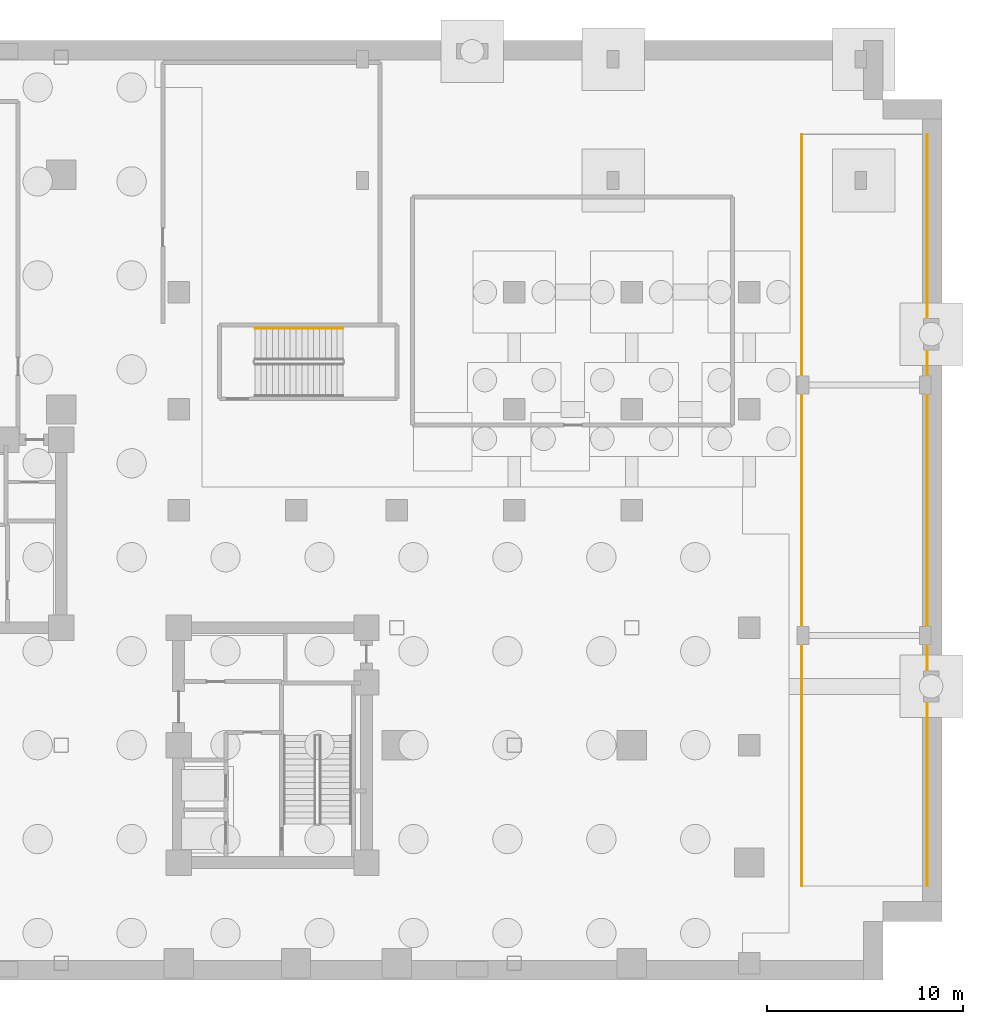
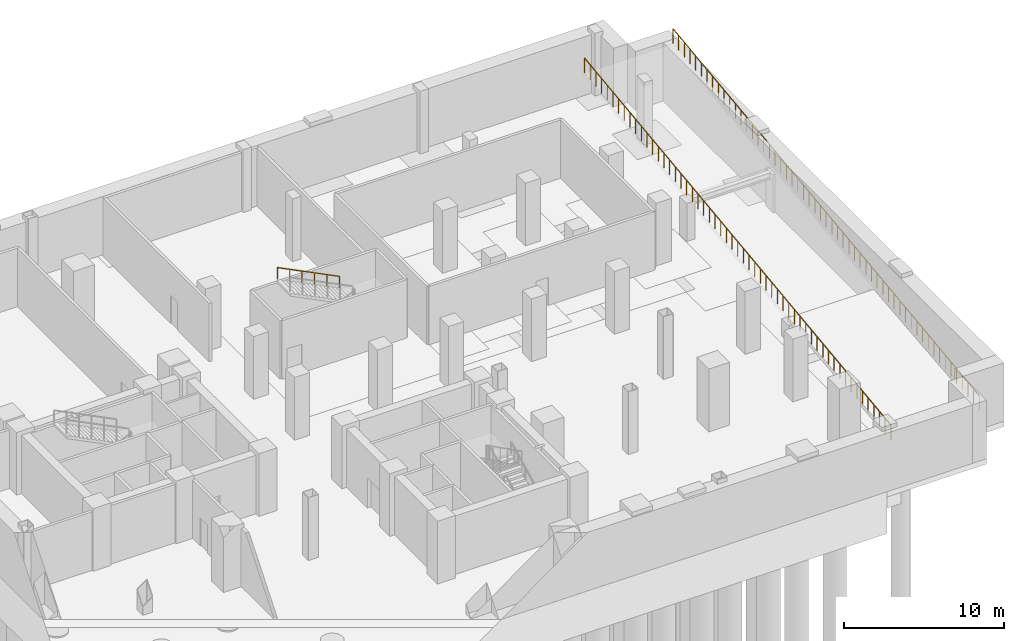
# One storey, part 6 of 7: 3 railings.
"""IFC4 building model written with IfcOpenShell, lengths in metres."""

import ifcopenshell
import ifcopenshell.guid

model = None  # the IFC model being written
_history = None  # IfcOwnerHistory: only IFC2X3 demands one
_inside = {}  # id of a spatial element -> (the spatial element, [elements in it])
_under = {}  # id of a project, library or spatial element -> (it, [spatial elements below it])
_declared = {}  # id of a project -> (the project, [libraries it declares])
_typed = {}  # id of a type object -> (the type object, [elements of that type])
_made_of = {}  # id of a material, layer set ... -> (it, [elements and type objects made of it])


def new_model(schema):
    """Start an empty IFC model of exactly this schema.

    Asked for "IFC4X3", IfcOpenShell would pick the latest addendum, in which some entities
    have other attributes; the version numbers below select the first issue.
    IFC2X3 requires an IfcOwnerHistory on every rooted entity: one is made here for all.
    """
    global model, _history
    if schema == "IFC4X3":
        model = ifcopenshell.file(schema_version=(4, 3, 0, 0))
    else:
        model = ifcopenshell.file(schema=schema)
    _inside.clear()
    _under.clear()
    _declared.clear()
    _typed.clear()
    _made_of.clear()
    _history = None
    if model.schema == "IFC2X3":
        org = make("IfcOrganization", Name="unknown")
        user = make(
            "IfcPersonAndOrganization",
            ThePerson=make("IfcPerson", FamilyName="unknown"),
            TheOrganization=org,
        )
        app = make(
            "IfcApplication",
            ApplicationDeveloper=org,
            Version="unknown",
            ApplicationFullName="unknown",
            ApplicationIdentifier="unknown",
        )
        _history = make(
            "IfcOwnerHistory",
            OwningUser=user,
            OwningApplication=app,
            ChangeAction="ADDED",
            CreationDate=0,
        )
    return model


def make(cls, **values):
    """One entity of the class cls with the attributes given. An attribute that is None is left unset."""
    return model.create_entity(
        cls, **{name: value for name, value in values.items() if value is not None}
    )


def rooted(cls, **values):
    """An entity with a GlobalId (a new one), such as an element, a storey or a relation."""
    return make(cls, GlobalId=ifcopenshell.guid.new(), OwnerHistory=_history, **values)


def si_unit(unit_type, name, prefix=None):
    """IfcSIUnit, for example si_unit("LENGTHUNIT", "METRE", prefix="MILLI")."""
    return make("IfcSIUnit", UnitType=unit_type, Prefix=prefix, Name=name)


def assignment(units):
    """IfcUnitAssignment: the units of a project."""
    return None if units is None else make("IfcUnitAssignment", Units=units)


def point(xyz):
    """IfcCartesianPoint."""
    return None if xyz is None else make("IfcCartesianPoint", Coordinates=xyz)


def direction(xyz):
    """IfcDirection."""
    return None if xyz is None else make("IfcDirection", DirectionRatios=xyz)


def frame(location, z_axis=None, x_axis=None):
    """IfcAxis2Placement3D, a coordinate frame: its origin and axes. An axis left out is left unset."""
    return make(
        "IfcAxis2Placement3D",
        Location=point(location),
        Axis=direction(z_axis),
        RefDirection=direction(x_axis),
    )


def frame_2d(location, x_axis=None):
    """IfcAxis2Placement2D, a coordinate frame in the plane: its origin and x axis."""
    return make(
        "IfcAxis2Placement2D", Location=point(location), RefDirection=direction(x_axis)
    )


def origin():
    """The frame at (0, 0, 0) with its axes left unset."""
    return frame((0.0, 0.0, 0.0))


def origin_2d():
    """The frame at (0, 0) in the plane with its x axis left unset."""
    return frame_2d((0.0, 0.0))


def place(relative_to, where):
    """IfcLocalPlacement: puts the frame where relative to a parent placement (None: the world)."""
    return make(
        "IfcLocalPlacement", PlacementRelTo=relative_to, RelativePlacement=where
    )


def context(
    kind, dimensions, precision=None, world=None, true_north=None, identifier=None
):
    """IfcGeometricRepresentationContext, for example the 3D "Model" context."""
    return make(
        "IfcGeometricRepresentationContext",
        ContextIdentifier=identifier,
        ContextType=kind,
        CoordinateSpaceDimension=dimensions,
        Precision=precision,
        WorldCoordinateSystem=world,
        TrueNorth=true_north,
    )


def subcontext(parent, identifier, kind, view, scale=None):
    """IfcGeometricRepresentationSubContext, for example "Body" below "Model"."""
    return make(
        "IfcGeometricRepresentationSubContext",
        ContextIdentifier=identifier,
        ContextType=kind,
        ParentContext=parent,
        TargetScale=scale,
        TargetView=view,
    )


def project(units=None, contexts=None):
    """IfcProject with its units and contexts."""
    return rooted(
        "IfcProject",
        Name="project",
        RepresentationContexts=contexts,
        UnitsInContext=assignment(units),
    )


def spatial(cls, under=None, at=None, **own):
    """A site, building, storey or space (cls), placed at a placement, below another one or the project."""
    s = rooted(cls, ObjectPlacement=at, **own)
    if under is not None:
        _under.setdefault(under.id(), (under, []))[1].append(s)
    return s


def profile(cls, at=None, kind="AREA", **sizes):
    """A parametric profile (cls). Its sizes go by their IFC names, for example OverallWidth=200.0."""
    return make(cls, ProfileType=kind, Position=at, **sizes)


def rectangle(**sizes):
    """IfcRectangleProfileDef."""
    return profile("IfcRectangleProfileDef", **sizes)


def extrude(swept, where, along, depth):
    """IfcExtrudedAreaSolid: the profile swept, set in the frame where, extruded along a direction by depth."""
    return make(
        "IfcExtrudedAreaSolid",
        SweptArea=swept,
        Position=where,
        ExtrudedDirection=direction(along),
        Depth=depth,
    )


def shape(context_of_items, identifier, shape_type, items):
    """IfcShapeRepresentation: the items that make up one representation, for example the "Body"."""
    return make(
        "IfcShapeRepresentation",
        ContextOfItems=context_of_items,
        RepresentationIdentifier=identifier,
        RepresentationType=shape_type,
        Items=items,
    )


def material(Name=None, Category=None):
    """IfcMaterial."""
    return make("IfcMaterial", Name=Name, Category=Category)


def made_of(thing, what):
    """Note that an element or type object is made of a material, layer set ...; save() writes the relation."""
    if what is not None:
        _made_of.setdefault(what.id(), (what, []))[1].append(thing)
    return thing


def type_object(cls, material=None, **own):
    """A type object (cls), such as IfcWallType, which elements share."""
    return made_of(rooted(cls, **own), material)


def element(
    cls,
    number,
    at=None,
    inside=None,
    cuts=None,
    type_object=None,
    material=None,
    context=None,
    identifier="Body",
    shape_type=None,
    held_by="IfcProductDefinitionShape",
    body=None,
    shapes=None,
    **own,
):
    """One element of the class cls, such as IfcWall. Its Tag is "e" and its number.

    at: its placement. inside: the storey or other place that contains it. cuts: it is an
    opening in that element (IfcRelVoidsElement). A single representation is given by context,
    identifier, shape_type and body (its items); several are given by shapes. held_by: the class
    of the entity that holds the representations. save() writes the other relations.
    """
    e = rooted(cls, Tag="e%d" % number, ObjectPlacement=at, **own)
    if body is not None:
        shapes = [shape(context, identifier, shape_type, body)]
    if shapes is not None:
        e.Representation = make(held_by, Representations=shapes)
    if inside is not None:
        _inside.setdefault(inside.id(), (inside, []))[1].append(e)
    if cuts is not None:
        rooted(
            "IfcRelVoidsElement", RelatingBuildingElement=cuts, RelatedOpeningElement=e
        )
    if type_object is not None:
        _typed.setdefault(type_object.id(), (type_object, []))[1].append(e)
    return made_of(e, material)


def aggregate(whole, parts):
    """IfcRelAggregates: a whole, such as a stair, and the parts it consists of."""
    return rooted("IfcRelAggregates", RelatingObject=whole, RelatedObjects=parts)


def save(model, path):
    """Write the relations noted so far, then the file.

    IfcRelAggregates (storeys below a building ...), IfcRelContainedInSpatialStructure (elements
    in a storey), IfcRelDefinesByType, IfcRelAssociatesMaterial and IfcRelDeclares: one each for
    every whole, place, type object, material and project.
    """
    for whole, parts in _under.values():
        aggregate(whole, parts)
    for where, things in _inside.values():
        rooted(
            "IfcRelContainedInSpatialStructure",
            RelatedElements=things,
            RelatingStructure=where,
        )
    for kind, things in _typed.values():
        rooted("IfcRelDefinesByType", RelatedObjects=things, RelatingType=kind)
    for what, things in _made_of.values():
        rooted("IfcRelAssociatesMaterial", RelatedObjects=things, RelatingMaterial=what)
    for by, libraries in _declared.values():
        rooted("IfcRelDeclares", RelatingContext=by, RelatedDefinitions=libraries)
    model.write(path)


model = new_model("IFC4")

# Units and contexts
model_context = context("Model", 3, precision=1e-05, world=origin(), true_north=direction((0.0, 1.0)))
body_context = subcontext(model_context, "Body", "Model", "MODEL_VIEW")
ifc_project = project(units=[si_unit("LENGTHUNIT", "METRE"), si_unit("AREAUNIT", "SQUARE_METRE"), si_unit("VOLUMEUNIT", "CUBIC_METRE"), si_unit("PLANEANGLEUNIT", "RADIAN"), si_unit("MASSUNIT", "GRAM", prefix="KILO"), si_unit("THERMODYNAMICTEMPERATUREUNIT", "KELVIN"), si_unit("POWERUNIT", "WATT")], contexts=[model_context])

# Site, building, storey
site_placement = place(None, origin())
site = spatial("IfcSite", under=ifc_project, at=site_placement, CompositionType="ELEMENT")
building_placement = place(site_placement, origin())
building = spatial("IfcBuilding", under=site, at=building_placement, Name="Svarakhadi Broadcast Tower", CompositionType="ELEMENT")
storey_placement = place(building_placement, frame((0.0, 0.0, -9.60009765625)))
storey = spatial("IfcBuildingStorey", under=building, at=storey_placement, Name="B02", CompositionType="ELEMENT", Elevation=-9.60009765625)

# Railings
ifc_material = material(Name="Anodised Bronze Aluminium AA 6063-T6", Category="aluminium")
railing_type_1 = type_object("IfcRailingType", Name="Guard_Void_GR04", PredefinedType="GUARDRAIL", material=ifc_material)
railing_1_placement = place(storey_placement, frame((55.85009765625, 4.800048828125, 0.0)))
element("IfcRailing", 1, at=railing_1_placement, inside=storey, type_object=railing_type_1, Name="B02 Vehicle Ramp Sloped Side Guard W GR-04", PredefinedType="GUARDRAIL", context=body_context, shape_type="SweptSolid", body=[
    extrude(rectangle(XDim=0.048095703125, YDim=0.048095703125, at=origin_2d()), frame((0.0, 0.0, 1.1259765625), z_axis=(0.0, 0.992277003176, 0.124041722688), x_axis=(-1.0, 0.0, 0.0)), (0.0, 0.0, 1.0), 12.899658203125),
    extrude(rectangle(XDim=0.048095703125, YDim=0.048095703125, at=origin_2d()), frame((0.0, 12.800048828125, 2.72607421875), z_axis=(0.0, 0.992276711964, 0.124044052228), x_axis=(-1.0, 0.0, 0.0)), (0.0, 0.0, 1.0), 12.8994140625),
    extrude(rectangle(XDim=0.048095703125, YDim=0.048095703125, at=origin_2d()), frame((0.0, 25.599853515625, 4.326171875), z_axis=(0.0, 0.992279332503, 0.124023087717), x_axis=(-1.0, 0.0, 0.0)), (0.0, 0.0, 1.0), 12.899658203125),
    extrude(rectangle(XDim=0.0419921875, YDim=0.0419921875, at=origin_2d()), origin(), (0.0, 0.0, 1.0), 1.101806640625),
    extrude(rectangle(XDim=0.0419921875, YDim=0.0419921875, at=origin_2d()), frame((0.0, 0.711181640625, 0.0888671875)), (0.0, 0.0, 1.0), 1.101806640625),
    extrude(rectangle(XDim=0.0419921875, YDim=0.0419921875, at=origin_2d()), frame((0.0, 1.422119140625, 0.177734375)), (0.0, 0.0, 1.0), 1.101806640625),
    extrude(rectangle(XDim=0.0419921875, YDim=0.0419921875, at=origin_2d()), frame((0.0, 2.13330078125, 0.2666015625)), (0.0, 0.0, 1.0), 1.101806640625),
    extrude(rectangle(XDim=0.0419921875, YDim=0.0419921875, at=origin_2d()), frame((0.0, 2.844482421875, 0.35546875)), (0.0, 0.0, 1.0), 1.101806640625),
    extrude(rectangle(XDim=0.0419921875, YDim=0.0419921875, at=origin_2d()), frame((0.0, 3.5556640625, 0.444580078125)), (0.0, 0.0, 1.0), 1.101806640625),
    extrude(rectangle(XDim=0.0419921875, YDim=0.0419921875, at=origin_2d()), frame((0.0, 4.2666015625, 0.533447265625)), (0.0, 0.0, 1.0), 1.101806640625),
    extrude(rectangle(XDim=0.0419921875, YDim=0.0419921875, at=origin_2d()), frame((0.0, 4.977783203125, 0.622314453125)), (0.0, 0.0, 1.0), 1.101806640625),
    extrude(rectangle(XDim=0.0419921875, YDim=0.0419921875, at=origin_2d()), frame((0.0, 5.68896484375, 0.711181640625)), (0.0, 0.0, 1.0), 1.101806640625),
    extrude(rectangle(XDim=0.0419921875, YDim=0.0419921875, at=origin_2d()), frame((0.0, 6.39990234375, 0.800048828125)), (0.0, 0.0, 1.0), 1.101806640625),
    extrude(rectangle(XDim=0.0419921875, YDim=0.0419921875, at=origin_2d()), frame((0.0, 7.111083984375, 0.888916015625)), (0.0, 0.0, 1.0), 1.101806640625),
    extrude(rectangle(XDim=0.0419921875, YDim=0.0419921875, at=origin_2d()), frame((0.0, 7.822265625, 0.977783203125)), (0.0, 0.0, 1.0), 1.101806640625),
    extrude(rectangle(XDim=0.0419921875, YDim=0.0419921875, at=origin_2d()), frame((0.0, 8.533447265625, 1.066650390625)), (0.0, 0.0, 1.0), 1.101806640625),
    extrude(rectangle(XDim=0.0419921875, YDim=0.0419921875, at=origin_2d()), frame((0.0, 9.244384765625, 1.155517578125)), (0.0, 0.0, 1.0), 1.101806640625),
    extrude(rectangle(XDim=0.0419921875, YDim=0.0419921875, at=origin_2d()), frame((0.0, 9.95556640625, 1.24462890625)), (0.0, 0.0, 1.0), 1.101806640625),
    extrude(rectangle(XDim=0.0419921875, YDim=0.0419921875, at=origin_2d()), frame((0.0, 10.666748046875, 1.33349609375)), (0.0, 0.0, 1.0), 1.101806640625),
    extrude(rectangle(XDim=0.0419921875, YDim=0.0419921875, at=origin_2d()), frame((0.0, 11.3779296875, 1.42236328125)), (0.0, 0.0, 1.0), 1.101806640625),
    extrude(rectangle(XDim=0.0419921875, YDim=0.0419921875, at=origin_2d()), frame((0.0, 12.0888671875, 1.51123046875)), (0.0, 0.0, 1.0), 1.101806640625),
    extrude(rectangle(XDim=0.0419921875, YDim=0.0419921875, at=origin_2d()), frame((0.0, 12.800048828125, 1.60009765625)), (0.0, 0.0, 1.0), 1.101806640625),
    extrude(rectangle(XDim=0.0419921875, YDim=0.0419921875, at=origin_2d()), frame((0.0, 13.51123046875, 1.68896484375)), (0.0, 0.0, 1.0), 1.101806640625),
    extrude(rectangle(XDim=0.0419921875, YDim=0.0419921875, at=origin_2d()), frame((0.0, 14.22216796875, 1.77783203125)), (0.0, 0.0, 1.0), 1.101806640625),
    extrude(rectangle(XDim=0.0419921875, YDim=0.0419921875, at=origin_2d()), frame((0.0, 14.933349609375, 1.86669921875)), (0.0, 0.0, 1.0), 1.101806640625),
    extrude(rectangle(XDim=0.0419921875, YDim=0.0419921875, at=origin_2d()), frame((0.0, 15.64453125, 1.95556640625)), (0.0, 0.0, 1.0), 1.101806640625),
    extrude(rectangle(XDim=0.0419921875, YDim=0.0419921875, at=origin_2d()), frame((0.0, 16.35546875, 2.044677734375)), (0.0, 0.0, 1.0), 1.101806640625),
    extrude(rectangle(XDim=0.0419921875, YDim=0.0419921875, at=origin_2d()), frame((0.0, 17.066650390625, 2.133544921875)), (0.0, 0.0, 1.0), 1.101806640625),
    extrude(rectangle(XDim=0.0419921875, YDim=0.0419921875, at=origin_2d()), frame((0.0, 17.77783203125, 2.222412109375)), (0.0, 0.0, 1.0), 1.101806640625),
    extrude(rectangle(XDim=0.0419921875, YDim=0.0419921875, at=origin_2d()), frame((0.0, 18.48876953125, 2.311279296875)), (0.0, 0.0, 1.0), 1.101806640625),
    extrude(rectangle(XDim=0.0419921875, YDim=0.0419921875, at=origin_2d()), frame((0.0, 19.199951171875, 2.400146484375)), (0.0, 0.0, 1.0), 1.101806640625),
    extrude(rectangle(XDim=0.0419921875, YDim=0.0419921875, at=origin_2d()), frame((0.0, 19.9111328125, 2.489013671875)), (0.0, 0.0, 1.0), 1.101806640625),
    extrude(rectangle(XDim=0.0419921875, YDim=0.0419921875, at=origin_2d()), frame((0.0, 20.6220703125, 2.577880859375)), (0.0, 0.0, 1.0), 1.101806640625),
    extrude(rectangle(XDim=0.0419921875, YDim=0.0419921875, at=origin_2d()), frame((0.0, 21.333251953125, 2.666748046875)), (0.0, 0.0, 1.0), 1.101806640625),
    extrude(rectangle(XDim=0.0419921875, YDim=0.0419921875, at=origin_2d()), frame((0.0, 22.04443359375, 2.755615234375)), (0.0, 0.0, 1.0), 1.101806640625),
    extrude(rectangle(XDim=0.0419921875, YDim=0.0419921875, at=origin_2d()), frame((0.0, 22.75537109375, 2.8447265625)), (0.0, 0.0, 1.0), 1.101806640625),
    extrude(rectangle(XDim=0.0419921875, YDim=0.0419921875, at=origin_2d()), frame((0.0, 23.466552734375, 2.93359375)), (0.0, 0.0, 1.0), 1.101806640625),
    extrude(rectangle(XDim=0.0419921875, YDim=0.0419921875, at=origin_2d()), frame((0.0, 24.177734375, 3.0224609375)), (0.0, 0.0, 1.0), 1.101806640625),
    extrude(rectangle(XDim=0.0419921875, YDim=0.0419921875, at=origin_2d()), frame((0.0, 24.888671875, 3.111328125)), (0.0, 0.0, 1.0), 1.101806640625),
    extrude(rectangle(XDim=0.0419921875, YDim=0.0419921875, at=origin_2d()), frame((0.0, 25.599853515625, 3.2001953125)), (0.0, 0.0, 1.0), 1.101806640625),
    extrude(rectangle(XDim=0.0419921875, YDim=0.0419921875, at=origin_2d()), frame((0.0, 26.31103515625, 3.2890625)), (0.0, 0.0, 1.0), 1.101806640625),
    extrude(rectangle(XDim=0.0419921875, YDim=0.0419921875, at=origin_2d()), frame((0.0, 27.02197265625, 3.3779296875)), (0.0, 0.0, 1.0), 1.101806640625),
    extrude(rectangle(XDim=0.0419921875, YDim=0.0419921875, at=origin_2d()), frame((0.0, 27.733154296875, 3.466796875)), (0.0, 0.0, 1.0), 1.101806640625),
    extrude(rectangle(XDim=0.0419921875, YDim=0.0419921875, at=origin_2d()), frame((0.0, 28.4443359375, 3.5556640625)), (0.0, 0.0, 1.0), 1.101806640625),
    extrude(rectangle(XDim=0.0419921875, YDim=0.0419921875, at=origin_2d()), frame((0.0, 29.155517578125, 3.64453125)), (0.0, 0.0, 1.0), 1.101806640625),
    extrude(rectangle(XDim=0.0419921875, YDim=0.0419921875, at=origin_2d()), frame((0.0, 29.866455078125, 3.7333984375)), (0.0, 0.0, 1.0), 1.101806640625),
    extrude(rectangle(XDim=0.0419921875, YDim=0.0419921875, at=origin_2d()), frame((0.0, 30.57763671875, 3.822265625)), (0.0, 0.0, 1.0), 1.101806640625),
    extrude(rectangle(XDim=0.0419921875, YDim=0.0419921875, at=origin_2d()), frame((0.0, 31.288818359375, 3.9111328125)), (0.0, 0.0, 1.0), 1.101806640625),
    extrude(rectangle(XDim=0.0419921875, YDim=0.0419921875, at=origin_2d()), frame((0.0, 32.0, 4.0)), (0.0, 0.0, 1.0), 1.101806640625),
    extrude(rectangle(XDim=0.0419921875, YDim=0.0419921875, at=origin_2d()), frame((0.0, 32.7109375, 4.089111328125)), (0.0, 0.0, 1.0), 1.101806640625),
    extrude(rectangle(XDim=0.0419921875, YDim=0.0419921875, at=origin_2d()), frame((0.0, 33.422119140625, 4.177978515625)), (0.0, 0.0, 1.0), 1.101806640625),
    extrude(rectangle(XDim=0.0419921875, YDim=0.0419921875, at=origin_2d()), frame((0.0, 34.13330078125, 4.266845703125)), (0.0, 0.0, 1.0), 1.101806640625),
    extrude(rectangle(XDim=0.0419921875, YDim=0.0419921875, at=origin_2d()), frame((0.0, 34.84423828125, 4.355712890625)), (0.0, 0.0, 1.0), 1.101806640625),
    extrude(rectangle(XDim=0.0419921875, YDim=0.0419921875, at=origin_2d()), frame((0.0, 35.555419921875, 4.444580078125)), (0.0, 0.0, 1.0), 1.101806640625),
    extrude(rectangle(XDim=0.0419921875, YDim=0.0419921875, at=origin_2d()), frame((0.0, 36.2666015625, 4.533447265625)), (0.0, 0.0, 1.0), 1.101806640625),
    extrude(rectangle(XDim=0.0419921875, YDim=0.0419921875, at=origin_2d()), frame((0.0, 36.977783203125, 4.622314453125)), (0.0, 0.0, 1.0), 1.101806640625),
    extrude(rectangle(XDim=0.0419921875, YDim=0.0419921875, at=origin_2d()), frame((0.0, 37.688720703125, 4.711181640625)), (0.0, 0.0, 1.0), 1.101806640625),
    extrude(rectangle(XDim=0.0419921875, YDim=0.0419921875, at=origin_2d()), frame((0.0, 38.39990234375, 4.800048828125)), (0.0, 0.0, 1.0), 1.101806640625),
])
railing_2_placement = place(storey_placement, frame((62.25, 4.800048828125, 0.0)))
element("IfcRailing", 2, at=railing_2_placement, inside=storey, type_object=railing_type_1, Name="B02 Vehicle Ramp Sloped Side Guard E GR-04", PredefinedType="GUARDRAIL", context=body_context, shape_type="SweptSolid", body=[
    extrude(rectangle(XDim=0.048095703125, YDim=0.048095703125, at=origin_2d()), frame((0.0, 0.0, 1.1259765625), z_axis=(0.0, 0.992277003176, 0.124041722688), x_axis=(-1.0, 0.0, 0.0)), (0.0, 0.0, 1.0), 12.899658203125),
    extrude(rectangle(XDim=0.048095703125, YDim=0.048095703125, at=origin_2d()), frame((0.0, 12.800048828125, 2.72607421875), z_axis=(0.0, 0.992276711964, 0.124044052228), x_axis=(-1.0, 0.0, 0.0)), (0.0, 0.0, 1.0), 12.8994140625),
    extrude(rectangle(XDim=0.048095703125, YDim=0.048095703125, at=origin_2d()), frame((0.0, 25.599853515625, 4.326171875), z_axis=(0.0, 0.992279332503, 0.124023087717), x_axis=(-1.0, 0.0, 0.0)), (0.0, 0.0, 1.0), 12.899658203125),
    extrude(rectangle(XDim=0.0419921875, YDim=0.0419921875, at=origin_2d()), origin(), (0.0, 0.0, 1.0), 1.101806640625),
    extrude(rectangle(XDim=0.0419921875, YDim=0.0419921875, at=origin_2d()), frame((0.0, 0.711181640625, 0.0888671875)), (0.0, 0.0, 1.0), 1.101806640625),
    extrude(rectangle(XDim=0.0419921875, YDim=0.0419921875, at=origin_2d()), frame((0.0, 1.422119140625, 0.177734375)), (0.0, 0.0, 1.0), 1.101806640625),
    extrude(rectangle(XDim=0.0419921875, YDim=0.0419921875, at=origin_2d()), frame((0.0, 2.13330078125, 0.2666015625)), (0.0, 0.0, 1.0), 1.101806640625),
    extrude(rectangle(XDim=0.0419921875, YDim=0.0419921875, at=origin_2d()), frame((0.0, 2.844482421875, 0.35546875)), (0.0, 0.0, 1.0), 1.101806640625),
    extrude(rectangle(XDim=0.0419921875, YDim=0.0419921875, at=origin_2d()), frame((0.0, 3.5556640625, 0.444580078125)), (0.0, 0.0, 1.0), 1.101806640625),
    extrude(rectangle(XDim=0.0419921875, YDim=0.0419921875, at=origin_2d()), frame((0.0, 4.2666015625, 0.533447265625)), (0.0, 0.0, 1.0), 1.101806640625),
    extrude(rectangle(XDim=0.0419921875, YDim=0.0419921875, at=origin_2d()), frame((0.0, 4.977783203125, 0.622314453125)), (0.0, 0.0, 1.0), 1.101806640625),
    extrude(rectangle(XDim=0.0419921875, YDim=0.0419921875, at=origin_2d()), frame((0.0, 5.68896484375, 0.711181640625)), (0.0, 0.0, 1.0), 1.101806640625),
    extrude(rectangle(XDim=0.0419921875, YDim=0.0419921875, at=origin_2d()), frame((0.0, 6.39990234375, 0.800048828125)), (0.0, 0.0, 1.0), 1.101806640625),
    extrude(rectangle(XDim=0.0419921875, YDim=0.0419921875, at=origin_2d()), frame((0.0, 7.111083984375, 0.888916015625)), (0.0, 0.0, 1.0), 1.101806640625),
    extrude(rectangle(XDim=0.0419921875, YDim=0.0419921875, at=origin_2d()), frame((0.0, 7.822265625, 0.977783203125)), (0.0, 0.0, 1.0), 1.101806640625),
    extrude(rectangle(XDim=0.0419921875, YDim=0.0419921875, at=origin_2d()), frame((0.0, 8.533447265625, 1.066650390625)), (0.0, 0.0, 1.0), 1.101806640625),
    extrude(rectangle(XDim=0.0419921875, YDim=0.0419921875, at=origin_2d()), frame((0.0, 9.244384765625, 1.155517578125)), (0.0, 0.0, 1.0), 1.101806640625),
    extrude(rectangle(XDim=0.0419921875, YDim=0.0419921875, at=origin_2d()), frame((0.0, 9.95556640625, 1.24462890625)), (0.0, 0.0, 1.0), 1.101806640625),
    extrude(rectangle(XDim=0.0419921875, YDim=0.0419921875, at=origin_2d()), frame((0.0, 10.666748046875, 1.33349609375)), (0.0, 0.0, 1.0), 1.101806640625),
    extrude(rectangle(XDim=0.0419921875, YDim=0.0419921875, at=origin_2d()), frame((0.0, 11.3779296875, 1.42236328125)), (0.0, 0.0, 1.0), 1.101806640625),
    extrude(rectangle(XDim=0.0419921875, YDim=0.0419921875, at=origin_2d()), frame((0.0, 12.0888671875, 1.51123046875)), (0.0, 0.0, 1.0), 1.101806640625),
    extrude(rectangle(XDim=0.0419921875, YDim=0.0419921875, at=origin_2d()), frame((0.0, 12.800048828125, 1.60009765625)), (0.0, 0.0, 1.0), 1.101806640625),
    extrude(rectangle(XDim=0.0419921875, YDim=0.0419921875, at=origin_2d()), frame((0.0, 13.51123046875, 1.68896484375)), (0.0, 0.0, 1.0), 1.101806640625),
    extrude(rectangle(XDim=0.0419921875, YDim=0.0419921875, at=origin_2d()), frame((0.0, 14.22216796875, 1.77783203125)), (0.0, 0.0, 1.0), 1.101806640625),
    extrude(rectangle(XDim=0.0419921875, YDim=0.0419921875, at=origin_2d()), frame((0.0, 14.933349609375, 1.86669921875)), (0.0, 0.0, 1.0), 1.101806640625),
    extrude(rectangle(XDim=0.0419921875, YDim=0.0419921875, at=origin_2d()), frame((0.0, 15.64453125, 1.95556640625)), (0.0, 0.0, 1.0), 1.101806640625),
    extrude(rectangle(XDim=0.0419921875, YDim=0.0419921875, at=origin_2d()), frame((0.0, 16.35546875, 2.044677734375)), (0.0, 0.0, 1.0), 1.101806640625),
    extrude(rectangle(XDim=0.0419921875, YDim=0.0419921875, at=origin_2d()), frame((0.0, 17.066650390625, 2.133544921875)), (0.0, 0.0, 1.0), 1.101806640625),
    extrude(rectangle(XDim=0.0419921875, YDim=0.0419921875, at=origin_2d()), frame((0.0, 17.77783203125, 2.222412109375)), (0.0, 0.0, 1.0), 1.101806640625),
    extrude(rectangle(XDim=0.0419921875, YDim=0.0419921875, at=origin_2d()), frame((0.0, 18.48876953125, 2.311279296875)), (0.0, 0.0, 1.0), 1.101806640625),
    extrude(rectangle(XDim=0.0419921875, YDim=0.0419921875, at=origin_2d()), frame((0.0, 19.199951171875, 2.400146484375)), (0.0, 0.0, 1.0), 1.101806640625),
    extrude(rectangle(XDim=0.0419921875, YDim=0.0419921875, at=origin_2d()), frame((0.0, 19.9111328125, 2.489013671875)), (0.0, 0.0, 1.0), 1.101806640625),
    extrude(rectangle(XDim=0.0419921875, YDim=0.0419921875, at=origin_2d()), frame((0.0, 20.6220703125, 2.577880859375)), (0.0, 0.0, 1.0), 1.101806640625),
    extrude(rectangle(XDim=0.0419921875, YDim=0.0419921875, at=origin_2d()), frame((0.0, 21.333251953125, 2.666748046875)), (0.0, 0.0, 1.0), 1.101806640625),
    extrude(rectangle(XDim=0.0419921875, YDim=0.0419921875, at=origin_2d()), frame((0.0, 22.04443359375, 2.755615234375)), (0.0, 0.0, 1.0), 1.101806640625),
    extrude(rectangle(XDim=0.0419921875, YDim=0.0419921875, at=origin_2d()), frame((0.0, 22.75537109375, 2.8447265625)), (0.0, 0.0, 1.0), 1.101806640625),
    extrude(rectangle(XDim=0.0419921875, YDim=0.0419921875, at=origin_2d()), frame((0.0, 23.466552734375, 2.93359375)), (0.0, 0.0, 1.0), 1.101806640625),
    extrude(rectangle(XDim=0.0419921875, YDim=0.0419921875, at=origin_2d()), frame((0.0, 24.177734375, 3.0224609375)), (0.0, 0.0, 1.0), 1.101806640625),
    extrude(rectangle(XDim=0.0419921875, YDim=0.0419921875, at=origin_2d()), frame((0.0, 24.888671875, 3.111328125)), (0.0, 0.0, 1.0), 1.101806640625),
    extrude(rectangle(XDim=0.0419921875, YDim=0.0419921875, at=origin_2d()), frame((0.0, 25.599853515625, 3.2001953125)), (0.0, 0.0, 1.0), 1.101806640625),
    extrude(rectangle(XDim=0.0419921875, YDim=0.0419921875, at=origin_2d()), frame((0.0, 26.31103515625, 3.2890625)), (0.0, 0.0, 1.0), 1.101806640625),
    extrude(rectangle(XDim=0.0419921875, YDim=0.0419921875, at=origin_2d()), frame((0.0, 27.02197265625, 3.3779296875)), (0.0, 0.0, 1.0), 1.101806640625),
    extrude(rectangle(XDim=0.0419921875, YDim=0.0419921875, at=origin_2d()), frame((0.0, 27.733154296875, 3.466796875)), (0.0, 0.0, 1.0), 1.101806640625),
    extrude(rectangle(XDim=0.0419921875, YDim=0.0419921875, at=origin_2d()), frame((0.0, 28.4443359375, 3.5556640625)), (0.0, 0.0, 1.0), 1.101806640625),
    extrude(rectangle(XDim=0.0419921875, YDim=0.0419921875, at=origin_2d()), frame((0.0, 29.155517578125, 3.64453125)), (0.0, 0.0, 1.0), 1.101806640625),
    extrude(rectangle(XDim=0.0419921875, YDim=0.0419921875, at=origin_2d()), frame((0.0, 29.866455078125, 3.7333984375)), (0.0, 0.0, 1.0), 1.101806640625),
    extrude(rectangle(XDim=0.0419921875, YDim=0.0419921875, at=origin_2d()), frame((0.0, 30.57763671875, 3.822265625)), (0.0, 0.0, 1.0), 1.101806640625),
    extrude(rectangle(XDim=0.0419921875, YDim=0.0419921875, at=origin_2d()), frame((0.0, 31.288818359375, 3.9111328125)), (0.0, 0.0, 1.0), 1.101806640625),
    extrude(rectangle(XDim=0.0419921875, YDim=0.0419921875, at=origin_2d()), frame((0.0, 32.0, 4.0)), (0.0, 0.0, 1.0), 1.101806640625),
    extrude(rectangle(XDim=0.0419921875, YDim=0.0419921875, at=origin_2d()), frame((0.0, 32.7109375, 4.089111328125)), (0.0, 0.0, 1.0), 1.101806640625),
    extrude(rectangle(XDim=0.0419921875, YDim=0.0419921875, at=origin_2d()), frame((0.0, 33.422119140625, 4.177978515625)), (0.0, 0.0, 1.0), 1.101806640625),
    extrude(rectangle(XDim=0.0419921875, YDim=0.0419921875, at=origin_2d()), frame((0.0, 34.13330078125, 4.266845703125)), (0.0, 0.0, 1.0), 1.101806640625),
    extrude(rectangle(XDim=0.0419921875, YDim=0.0419921875, at=origin_2d()), frame((0.0, 34.84423828125, 4.355712890625)), (0.0, 0.0, 1.0), 1.101806640625),
    extrude(rectangle(XDim=0.0419921875, YDim=0.0419921875, at=origin_2d()), frame((0.0, 35.555419921875, 4.444580078125)), (0.0, 0.0, 1.0), 1.101806640625),
    extrude(rectangle(XDim=0.0419921875, YDim=0.0419921875, at=origin_2d()), frame((0.0, 36.2666015625, 4.533447265625)), (0.0, 0.0, 1.0), 1.101806640625),
    extrude(rectangle(XDim=0.0419921875, YDim=0.0419921875, at=origin_2d()), frame((0.0, 36.977783203125, 4.622314453125)), (0.0, 0.0, 1.0), 1.101806640625),
    extrude(rectangle(XDim=0.0419921875, YDim=0.0419921875, at=origin_2d()), frame((0.0, 37.688720703125, 4.711181640625)), (0.0, 0.0, 1.0), 1.101806640625),
    extrude(rectangle(XDim=0.0419921875, YDim=0.0419921875, at=origin_2d()), frame((0.0, 38.39990234375, 4.800048828125)), (0.0, 0.0, 1.0), 1.101806640625),
])
railing_type_2 = type_object("IfcRailingType", Name="Handrail_Stair_HR01", PredefinedType="HANDRAIL", material=ifc_material)
railing_3_placement = place(storey_placement, frame((32.39990234375, 33.31005859375, 2.550048828125)))
element("IfcRailing", 3, at=railing_3_placement, inside=storey, type_object=railing_type_2, Name="B02 ST-03 stair handrail 2", PredefinedType="HANDRAIL", context=body_context, shape_type="SweptSolid", body=[
    extrude(rectangle(XDim=0.048095703125, YDim=0.048095703125, at=origin_2d()), frame((0.0, 0.0, 0.8759765625), z_axis=(-0.894427191, 0.0, 0.4472135955), x_axis=(0.0, -1.0, 0.0)), (0.0, 0.0, 1.0), 5.03125),
    extrude(rectangle(XDim=0.0419921875, YDim=0.0419921875, at=origin_2d()), origin(), (0.0, 0.0, 1.0), 0.851806640625),
    extrude(rectangle(XDim=0.0419921875, YDim=0.0419921875, at=origin_2d()), frame((-0.89990234375, 0.0, 0.449951171875)), (0.0, 0.0, 1.0), 0.851806640625),
    extrude(rectangle(XDim=0.0419921875, YDim=0.0419921875, at=origin_2d()), frame((-1.800048828125, 0.0, 0.89990234375)), (0.0, 0.0, 1.0), 0.851806640625),
    extrude(rectangle(XDim=0.0419921875, YDim=0.0419921875, at=origin_2d()), frame((-2.699951171875, 0.0, 1.35009765625)), (0.0, 0.0, 1.0), 0.851806640625),
    extrude(rectangle(XDim=0.0419921875, YDim=0.0419921875, at=origin_2d()), frame((-3.60009765625, 0.0, 1.800048828125)), (0.0, 0.0, 1.0), 0.851806640625),
    extrude(rectangle(XDim=0.0419921875, YDim=0.0419921875, at=origin_2d()), frame((-4.5, 0.0, 2.25)), (0.0, 0.0, 1.0), 0.851806640625),
])

save(model, "model.ifc")
